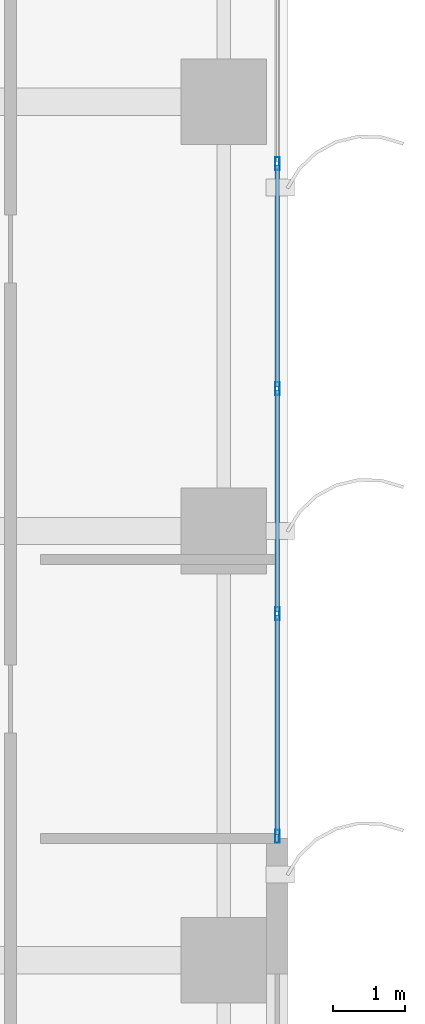
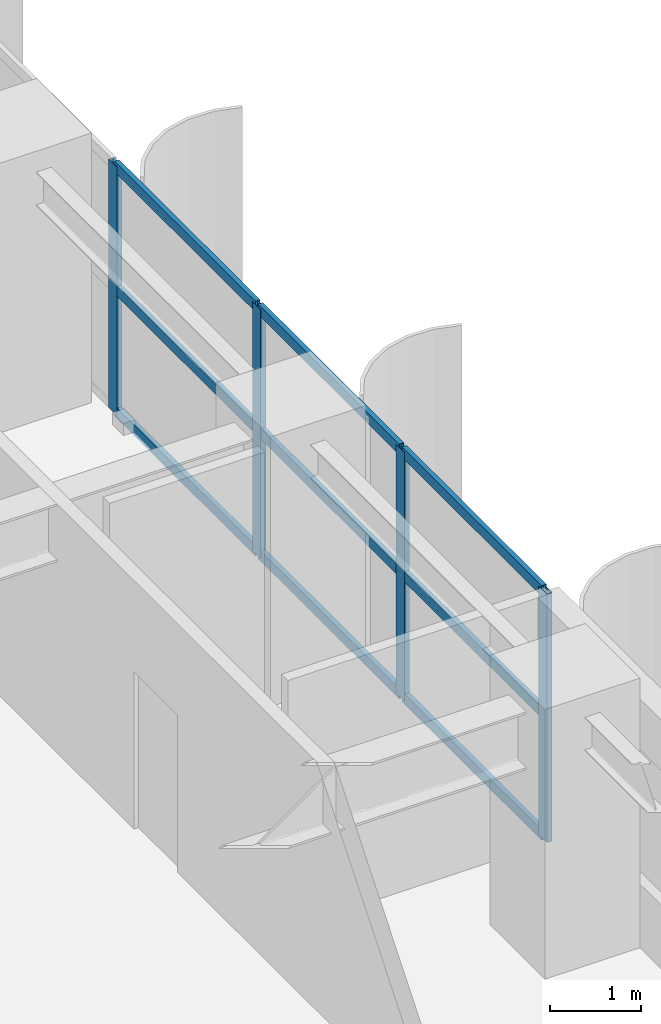
# One storey, part 7 of 22: 13 members, 1 element without a shape of its own.
"""IFC4 building model written with IfcOpenShell, lengths in metres."""

import ifcopenshell
import ifcopenshell.guid

model = None  # the IFC model being written
_history = None  # IfcOwnerHistory: only IFC2X3 demands one
_inside = {}  # id of a spatial element -> (the spatial element, [elements in it])
_under = {}  # id of a project, library or spatial element -> (it, [spatial elements below it])
_declared = {}  # id of a project -> (the project, [libraries it declares])
_typed = {}  # id of a type object -> (the type object, [elements of that type])
_made_of = {}  # id of a material, layer set ... -> (it, [elements and type objects made of it])


def new_model(schema):
    """Start an empty IFC model of exactly this schema.

    Asked for "IFC4X3", IfcOpenShell would pick the latest addendum, in which some entities
    have other attributes; the version numbers below select the first issue.
    IFC2X3 requires an IfcOwnerHistory on every rooted entity: one is made here for all.
    """
    global model, _history
    if schema == "IFC4X3":
        model = ifcopenshell.file(schema_version=(4, 3, 0, 0))
    else:
        model = ifcopenshell.file(schema=schema)
    _inside.clear()
    _under.clear()
    _declared.clear()
    _typed.clear()
    _made_of.clear()
    _history = None
    if model.schema == "IFC2X3":
        org = make("IfcOrganization", Name="unknown")
        user = make(
            "IfcPersonAndOrganization",
            ThePerson=make("IfcPerson", FamilyName="unknown"),
            TheOrganization=org,
        )
        app = make(
            "IfcApplication",
            ApplicationDeveloper=org,
            Version="unknown",
            ApplicationFullName="unknown",
            ApplicationIdentifier="unknown",
        )
        _history = make(
            "IfcOwnerHistory",
            OwningUser=user,
            OwningApplication=app,
            ChangeAction="ADDED",
            CreationDate=0,
        )
    return model


def make(cls, **values):
    """One entity of the class cls with the attributes given. An attribute that is None is left unset."""
    return model.create_entity(
        cls, **{name: value for name, value in values.items() if value is not None}
    )


def rooted(cls, **values):
    """An entity with a GlobalId (a new one), such as an element, a storey or a relation."""
    return make(cls, GlobalId=ifcopenshell.guid.new(), OwnerHistory=_history, **values)


def si_unit(unit_type, name, prefix=None):
    """IfcSIUnit, for example si_unit("LENGTHUNIT", "METRE", prefix="MILLI")."""
    return make("IfcSIUnit", UnitType=unit_type, Prefix=prefix, Name=name)


def assignment(units):
    """IfcUnitAssignment: the units of a project."""
    return None if units is None else make("IfcUnitAssignment", Units=units)


def point(xyz):
    """IfcCartesianPoint."""
    return None if xyz is None else make("IfcCartesianPoint", Coordinates=xyz)


def direction(xyz):
    """IfcDirection."""
    return None if xyz is None else make("IfcDirection", DirectionRatios=xyz)


def frame(location, z_axis=None, x_axis=None):
    """IfcAxis2Placement3D, a coordinate frame: its origin and axes. An axis left out is left unset."""
    return make(
        "IfcAxis2Placement3D",
        Location=point(location),
        Axis=direction(z_axis),
        RefDirection=direction(x_axis),
    )


def frame_2d(location, x_axis=None):
    """IfcAxis2Placement2D, a coordinate frame in the plane: its origin and x axis."""
    return make(
        "IfcAxis2Placement2D", Location=point(location), RefDirection=direction(x_axis)
    )


def origin():
    """The frame at (0, 0, 0) with its axes left unset."""
    return frame((0.0, 0.0, 0.0))


def origin_2d():
    """The frame at (0, 0) in the plane with its x axis left unset."""
    return frame_2d((0.0, 0.0))


def place(relative_to, where):
    """IfcLocalPlacement: puts the frame where relative to a parent placement (None: the world)."""
    return make(
        "IfcLocalPlacement", PlacementRelTo=relative_to, RelativePlacement=where
    )


def context(
    kind, dimensions, precision=None, world=None, true_north=None, identifier=None
):
    """IfcGeometricRepresentationContext, for example the 3D "Model" context."""
    return make(
        "IfcGeometricRepresentationContext",
        ContextIdentifier=identifier,
        ContextType=kind,
        CoordinateSpaceDimension=dimensions,
        Precision=precision,
        WorldCoordinateSystem=world,
        TrueNorth=true_north,
    )


def subcontext(parent, identifier, kind, view, scale=None):
    """IfcGeometricRepresentationSubContext, for example "Body" below "Model"."""
    return make(
        "IfcGeometricRepresentationSubContext",
        ContextIdentifier=identifier,
        ContextType=kind,
        ParentContext=parent,
        TargetScale=scale,
        TargetView=view,
    )


def project(units=None, contexts=None):
    """IfcProject with its units and contexts."""
    return rooted(
        "IfcProject",
        Name="project",
        RepresentationContexts=contexts,
        UnitsInContext=assignment(units),
    )


def spatial(cls, under=None, at=None, **own):
    """A site, building, storey or space (cls), placed at a placement, below another one or the project."""
    s = rooted(cls, ObjectPlacement=at, **own)
    if under is not None:
        _under.setdefault(under.id(), (under, []))[1].append(s)
    return s


def profile(cls, at=None, kind="AREA", **sizes):
    """A parametric profile (cls). Its sizes go by their IFC names, for example OverallWidth=200.0."""
    return make(cls, ProfileType=kind, Position=at, **sizes)


def hollow_rectangle(**sizes):
    """IfcRectangleHollowProfileDef."""
    return profile("IfcRectangleHollowProfileDef", **sizes)


def extrude(swept, where, along, depth):
    """IfcExtrudedAreaSolid: the profile swept, set in the frame where, extruded along a direction by depth."""
    return make(
        "IfcExtrudedAreaSolid",
        SweptArea=swept,
        Position=where,
        ExtrudedDirection=direction(along),
        Depth=depth,
    )


def shape(context_of_items, identifier, shape_type, items):
    """IfcShapeRepresentation: the items that make up one representation, for example the "Body"."""
    return make(
        "IfcShapeRepresentation",
        ContextOfItems=context_of_items,
        RepresentationIdentifier=identifier,
        RepresentationType=shape_type,
        Items=items,
    )


def source(mapping_origin, context_of_items, identifier, shape_type, items):
    """IfcRepresentationMap: a shape defined once, which mapped items show again and again."""
    return make(
        "IfcRepresentationMap",
        MappingOrigin=mapping_origin,
        MappedRepresentation=shape(context_of_items, identifier, shape_type, items),
    )


def transform(
    local_origin,
    x_axis=None,
    y_axis=None,
    z_axis=None,
    scale=None,
    scale2=None,
    scale3=None,
    uniform=True,
):
    """IfcCartesianTransformationOperator3D, or its non-uniform kind. x_axis, y_axis, z_axis: its Axis1, 2, 3."""
    if uniform:
        return make(
            "IfcCartesianTransformationOperator3D",
            Axis1=direction(x_axis),
            Axis2=direction(y_axis),
            LocalOrigin=point(local_origin),
            Scale=scale,
            Axis3=direction(z_axis),
        )
    return make(
        "IfcCartesianTransformationOperator3DnonUniform",
        Axis1=direction(x_axis),
        Axis2=direction(y_axis),
        LocalOrigin=point(local_origin),
        Scale=scale,
        Axis3=direction(z_axis),
        Scale2=scale2,
        Scale3=scale3,
    )


def mapped(mapping_source, mapping_target):
    """IfcMappedItem: shows the shape of a source again, moved by a transform."""
    return make(
        "IfcMappedItem", MappingSource=mapping_source, MappingTarget=mapping_target
    )


def material(Name=None, Category=None):
    """IfcMaterial."""
    return make("IfcMaterial", Name=Name, Category=Category)


def layer(
    of_material, thickness, ventilated=None, Name=None, Category=None, Priority=None
):
    """IfcMaterialLayer: one layer of a wall or slab, of a material (None: an air gap)."""
    return make(
        "IfcMaterialLayer",
        Material=of_material,
        LayerThickness=thickness,
        IsVentilated=ventilated,
        Name=Name,
        Category=Category,
        Priority=Priority,
    )


def layer_set(layers, Name=None):
    """IfcMaterialLayerSet."""
    return make("IfcMaterialLayerSet", MaterialLayers=layers, LayerSetName=Name)


def material_profile(
    of_material, cross_section, Name=None, Category=None, Priority=None
):
    """IfcMaterialProfile: a cross section and its material."""
    return make(
        "IfcMaterialProfile",
        Name=Name,
        Material=of_material,
        Profile=cross_section,
        Priority=Priority,
        Category=Category,
    )


def profile_set(profiles, Name=None, composite=None):
    """IfcMaterialProfileSet."""
    return make(
        "IfcMaterialProfileSet",
        Name=Name,
        MaterialProfiles=profiles,
        CompositeProfile=composite,
    )


def made_of(thing, what):
    """Note that an element or type object is made of a material, layer set ...; save() writes the relation."""
    if what is not None:
        _made_of.setdefault(what.id(), (what, []))[1].append(thing)
    return thing


def type_object(cls, material=None, **own):
    """A type object (cls), such as IfcWallType, which elements share."""
    return made_of(rooted(cls, **own), material)


def element(
    cls,
    number,
    at=None,
    inside=None,
    cuts=None,
    type_object=None,
    material=None,
    context=None,
    identifier="Body",
    shape_type=None,
    held_by="IfcProductDefinitionShape",
    body=None,
    shapes=None,
    **own,
):
    """One element of the class cls, such as IfcWall. Its Tag is "e" and its number.

    at: its placement. inside: the storey or other place that contains it. cuts: it is an
    opening in that element (IfcRelVoidsElement). A single representation is given by context,
    identifier, shape_type and body (its items); several are given by shapes. held_by: the class
    of the entity that holds the representations. save() writes the other relations.
    """
    e = rooted(cls, Tag="e%d" % number, ObjectPlacement=at, **own)
    if body is not None:
        shapes = [shape(context, identifier, shape_type, body)]
    if shapes is not None:
        e.Representation = make(held_by, Representations=shapes)
    if inside is not None:
        _inside.setdefault(inside.id(), (inside, []))[1].append(e)
    if cuts is not None:
        rooted(
            "IfcRelVoidsElement", RelatingBuildingElement=cuts, RelatedOpeningElement=e
        )
    if type_object is not None:
        _typed.setdefault(type_object.id(), (type_object, []))[1].append(e)
    return made_of(e, material)


def aggregate(whole, parts):
    """IfcRelAggregates: a whole, such as a stair, and the parts it consists of."""
    return rooted("IfcRelAggregates", RelatingObject=whole, RelatedObjects=parts)


def save(model, path):
    """Write the relations noted so far, then the file.

    IfcRelAggregates (storeys below a building ...), IfcRelContainedInSpatialStructure (elements
    in a storey), IfcRelDefinesByType, IfcRelAssociatesMaterial and IfcRelDeclares: one each for
    every whole, place, type object, material and project.
    """
    for whole, parts in _under.values():
        aggregate(whole, parts)
    for where, things in _inside.values():
        rooted(
            "IfcRelContainedInSpatialStructure",
            RelatedElements=things,
            RelatingStructure=where,
        )
    for kind, things in _typed.values():
        rooted("IfcRelDefinesByType", RelatedObjects=things, RelatingType=kind)
    for what, things in _made_of.values():
        rooted("IfcRelAssociatesMaterial", RelatedObjects=things, RelatingMaterial=what)
    for by, libraries in _declared.values():
        rooted("IfcRelDeclares", RelatingContext=by, RelatedDefinitions=libraries)
    model.write(path)


model = new_model("IFC4")

# Units and contexts
model_context = context("Model", 3, precision=1e-05, world=origin(), true_north=direction((0.0, 1.0)))
body_context = subcontext(model_context, "Body", "Model", "MODEL_VIEW")
ifc_project = project(units=[si_unit("LENGTHUNIT", "METRE"), si_unit("AREAUNIT", "SQUARE_METRE"), si_unit("VOLUMEUNIT", "CUBIC_METRE"), si_unit("PLANEANGLEUNIT", "RADIAN"), si_unit("MASSUNIT", "GRAM", prefix="KILO")], contexts=[model_context])

# Site, building, storey
site_placement = place(None, origin())
site = spatial("IfcSite", under=ifc_project, at=site_placement, CompositionType="ELEMENT")
building_placement = place(site_placement, origin())
building = spatial("IfcBuilding", under=site, at=building_placement, Name="Khoralis Quay Care Tower", CompositionType="ELEMENT")
storey_placement = place(building_placement, frame((0.0, 0.0, 44.10009765625)))
storey = spatial("IfcBuildingStorey", under=building, at=storey_placement, Name="L11", CompositionType="ELEMENT", Elevation=44.10009765625)

# Curtain wall, members
ifc_material = material(Name="Pale anodised aluminium", Category="aluminium")
ifc_layer = layer(ifc_material, 0.179931640625)
ifc_layer_set = layer_set([ifc_layer], Name="Pale anodised aluminium")
curtain_wall_type = type_object("IfcCurtainWallType", Name="CW-SYS-Z1", PredefinedType="NOTDEFINED", material=ifc_layer_set)
curtain_wall_placement = place(storey_placement, origin())
curtain_wall = element("IfcCurtainWall", 1, at=curtain_wall_placement, inside=storey, type_object=curtain_wall_type, Name="L11 Unitised Curtain Wall CW-L11-P1-E5", PredefinedType="NOTDEFINED")
ifc_material_profile_1 = material_profile(ifc_material, hollow_rectangle(XDim=0.06494140625, YDim=0.179931640625, WallThickness=0.00390625, at=origin_2d()), Name="Pale anodised aluminium")
ifc_profile_set_1 = profile_set([ifc_material_profile_1], Name="Pale anodised aluminium")
member_type_1 = type_object("IfcMemberType", Name="CW-MUL-180", PredefinedType="MULLION", material=ifc_profile_set_1)
shared_shape_1 = source(origin(), body_context, "Body", "SweptSolid", [
    extrude(hollow_rectangle(XDim=0.06494140625, YDim=0.179931640625, WallThickness=0.00390625, at=origin_2d()), origin(), (0.0, 0.0, 1.0), 3.31982421875),
])
member_1_placement = place(storey_placement, frame((47.85009765625, 19.72998046875, 0.0), z_axis=(0.0, 0.0, 1.0), x_axis=(-1.0, 0.0, 0.0)))
member_1 = element("IfcMember", 2, at=member_1_placement, type_object=member_type_1, Name="CW1 mullion 1", PredefinedType="MULLION", context=body_context, shape_type="MappedRepresentation", body=[
    mapped(shared_shape_1, transform((0.0, 0.0, 0.0), scale=1.0)),
])
member_2_placement = place(storey_placement, frame((47.85009765625, 22.844970703125, 0.0), z_axis=(0.0, 0.0, 1.0), x_axis=(-1.0, 0.0, 0.0)))
member_2 = element("IfcMember", 3, at=member_2_placement, type_object=member_type_1, Name="CW1 mullion 2", PredefinedType="MULLION", context=body_context, shape_type="MappedRepresentation", body=[
    mapped(shared_shape_1, transform((0.0, 0.0, 0.0), scale=1.0)),
])
member_3_placement = place(storey_placement, frame((47.85009765625, 25.989990234375, 0.0), z_axis=(0.0, 0.0, 1.0), x_axis=(-1.0, 0.0, 0.0)))
member_3 = element("IfcMember", 4, at=member_3_placement, type_object=member_type_1, Name="CW1 mullion 3", PredefinedType="MULLION", context=body_context, shape_type="MappedRepresentation", body=[
    mapped(shared_shape_1, transform((0.0, 0.0, 0.0), scale=1.0)),
])
member_4_placement = place(storey_placement, frame((47.85009765625, 29.135009765625, 0.0), z_axis=(0.0, 0.0, 1.0), x_axis=(-1.0, 0.0, 0.0)))
member_4 = element("IfcMember", 5, at=member_4_placement, type_object=member_type_1, Name="CW1 mullion 4", PredefinedType="MULLION", context=body_context, shape_type="MappedRepresentation", body=[
    mapped(shared_shape_1, transform((0.0, 0.0, 0.0), scale=1.0)),
])
ifc_material_profile_2 = material_profile(ifc_material, hollow_rectangle(XDim=0.06005859375, YDim=0.139892578125, WallThickness=0.00390625, at=origin_2d()), Name="Pale anodised aluminium")
ifc_profile_set_2 = profile_set([ifc_material_profile_2], Name="Pale anodised aluminium")
member_type_2 = type_object("IfcMemberType", Name="CW-TRN-140", PredefinedType="USERDEFINED", material=ifc_profile_set_2)
shared_shape_2 = source(origin(), body_context, "Body", "SweptSolid", [
    extrude(hollow_rectangle(XDim=0.06005859375, YDim=0.139892578125, WallThickness=0.00390625, at=origin_2d()), origin(), (0.0, 0.0, 1.0), 3.054931640625),
])
member_5_placement = place(storey_placement, frame((47.85009765625, 19.760009765625, 0.02978515625), z_axis=(0.0, 1.0, 0.0), x_axis=(-1.0, 0.0, 0.0)))
member_5 = element("IfcMember", 6, at=member_5_placement, type_object=member_type_2, Name="CW1 transom 1.1", ObjectType="TRANSOM", PredefinedType="USERDEFINED", context=body_context, shape_type="MappedRepresentation", body=[
    mapped(shared_shape_2, transform((0.0, 0.0, 0.0), scale=1.0)),
])
member_6_placement = place(storey_placement, frame((47.85009765625, 19.760009765625, 1.659912109375), z_axis=(0.0, 1.0, 0.0), x_axis=(-1.0, 0.0, 0.0)))
member_6 = element("IfcMember", 7, at=member_6_placement, type_object=member_type_2, Name="CW1 transom 1.2", ObjectType="TRANSOM", PredefinedType="USERDEFINED", context=body_context, shape_type="MappedRepresentation", body=[
    mapped(shared_shape_2, transform((0.0, 0.0, 0.0), scale=1.0)),
])
member_7_placement = place(storey_placement, frame((47.85009765625, 19.760009765625, 3.289794921875), z_axis=(0.0, 1.0, 0.0), x_axis=(-1.0, 0.0, 0.0)))
member_7 = element("IfcMember", 8, at=member_7_placement, type_object=member_type_2, Name="CW1 transom 1.3", ObjectType="TRANSOM", PredefinedType="USERDEFINED", context=body_context, shape_type="MappedRepresentation", body=[
    mapped(shared_shape_2, transform((0.0, 0.0, 0.0), scale=1.0)),
])
shared_shape_3 = source(origin(), body_context, "Body", "SweptSolid", [
    extrude(hollow_rectangle(XDim=0.06005859375, YDim=0.139892578125, WallThickness=0.00390625, at=origin_2d()), origin(), (0.0, 0.0, 1.0), 3.0849609375),
])
member_8_placement = place(storey_placement, frame((47.85009765625, 22.875, 0.02978515625), z_axis=(0.0, 1.0, 0.0), x_axis=(-1.0, 0.0, 0.0)))
member_8 = element("IfcMember", 9, at=member_8_placement, type_object=member_type_2, Name="CW1 transom 2.1", ObjectType="TRANSOM", PredefinedType="USERDEFINED", context=body_context, shape_type="MappedRepresentation", body=[
    mapped(shared_shape_3, transform((0.0, 0.0, 0.0), scale=1.0)),
])
member_9_placement = place(storey_placement, frame((47.85009765625, 22.875, 1.659912109375), z_axis=(0.0, 1.0, 0.0), x_axis=(-1.0, 0.0, 0.0)))
member_9 = element("IfcMember", 10, at=member_9_placement, type_object=member_type_2, Name="CW1 transom 2.2", ObjectType="TRANSOM", PredefinedType="USERDEFINED", context=body_context, shape_type="MappedRepresentation", body=[
    mapped(shared_shape_3, transform((0.0, 0.0, 0.0), scale=1.0)),
])
member_10_placement = place(storey_placement, frame((47.85009765625, 22.875, 3.289794921875), z_axis=(0.0, 1.0, 0.0), x_axis=(-1.0, 0.0, 0.0)))
member_10 = element("IfcMember", 11, at=member_10_placement, type_object=member_type_2, Name="CW1 transom 2.3", ObjectType="TRANSOM", PredefinedType="USERDEFINED", context=body_context, shape_type="MappedRepresentation", body=[
    mapped(shared_shape_3, transform((0.0, 0.0, 0.0), scale=1.0)),
])
member_11_placement = place(storey_placement, frame((47.85009765625, 26.02001953125, 0.02978515625), z_axis=(0.0, 1.0, 0.0), x_axis=(-1.0, 0.0, 0.0)))
member_11 = element("IfcMember", 12, at=member_11_placement, type_object=member_type_2, Name="CW1 transom 3.1", ObjectType="TRANSOM", PredefinedType="USERDEFINED", context=body_context, shape_type="MappedRepresentation", body=[
    mapped(shared_shape_3, transform((0.0, 0.0, 0.0), scale=1.0)),
])
member_12_placement = place(storey_placement, frame((47.85009765625, 26.02001953125, 1.659912109375), z_axis=(0.0, 1.0, 0.0), x_axis=(-1.0, 0.0, 0.0)))
member_12 = element("IfcMember", 13, at=member_12_placement, type_object=member_type_2, Name="CW1 transom 3.2", ObjectType="TRANSOM", PredefinedType="USERDEFINED", context=body_context, shape_type="MappedRepresentation", body=[
    mapped(shared_shape_3, transform((0.0, 0.0, 0.0), scale=1.0)),
])
member_13_placement = place(storey_placement, frame((47.85009765625, 26.02001953125, 3.289794921875), z_axis=(0.0, 1.0, 0.0), x_axis=(-1.0, 0.0, 0.0)))
member_13 = element("IfcMember", 14, at=member_13_placement, type_object=member_type_2, Name="CW1 transom 3.3", ObjectType="TRANSOM", PredefinedType="USERDEFINED", context=body_context, shape_type="MappedRepresentation", body=[
    mapped(shared_shape_3, transform((0.0, 0.0, 0.0), scale=1.0)),
])
aggregate(curtain_wall, [member_1, member_2, member_3, member_4, member_5, member_6, member_7, member_8, member_9, member_10, member_11, member_12, member_13])

save(model, "model.ifc")
